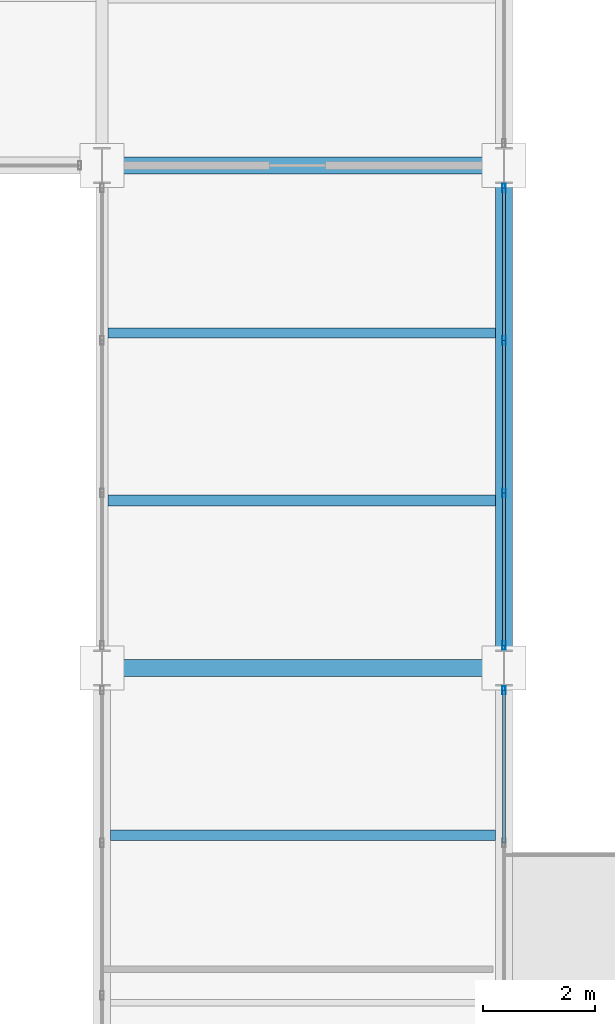
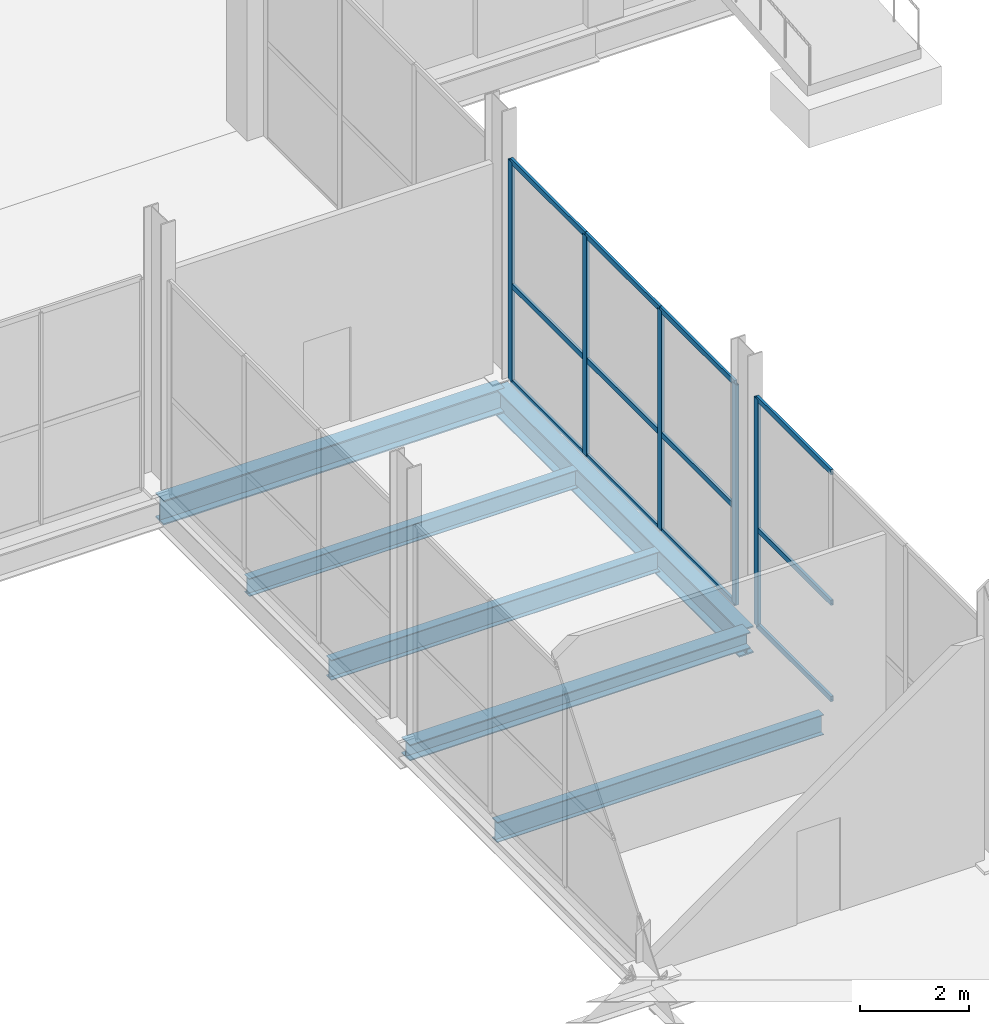
# One storey, part 96 of 144: 17 members, 6 beams, 2 elements without a shape of their own.
"""IFC4 building model written with IfcOpenShell, lengths in metres."""

from ifc_helpers import new_model, si_unit, direction, frame, origin, origin_2d, place, context, subcontext, project, spatial, hollow_rectangle, i_section, extrude, material, layer, layer_set, material_profile, profile_set, type_object, element, aggregate, save


model = new_model("IFC4")

# Units and contexts
model_context = context("Model", 3, precision=1e-05, world=origin(), true_north=direction((0.0, 1.0)))
body_context = subcontext(model_context, "Body", "Model", "MODEL_VIEW")
ifc_project = project(units=[si_unit("LENGTHUNIT", "METRE"), si_unit("AREAUNIT", "SQUARE_METRE"), si_unit("VOLUMEUNIT", "CUBIC_METRE"), si_unit("PLANEANGLEUNIT", "RADIAN"), si_unit("MASSUNIT", "GRAM", prefix="KILO")], contexts=[model_context])

# Site, building, storey
site_placement = place(None, origin())
site = spatial("IfcSite", under=ifc_project, at=site_placement, CompositionType="ELEMENT")
building_placement = place(site_placement, origin())
building = spatial("IfcBuilding", under=site, at=building_placement, Name="Sundgate Opera House", CompositionType="ELEMENT")
storey_placement = place(building_placement, origin())
storey = spatial("IfcBuildingStorey", under=building, at=storey_placement, Name="L00", CompositionType="ELEMENT", Elevation=0.0)

# Beams
ifc_material_1 = material(Name="Steel S355J2", Category="steel")
ifc_material_profile_1 = material_profile(ifc_material_1, i_section(OverallWidth=0.300048828125, OverallDepth=0.360107421875, WebThickness=0.012451171875, FlangeThickness=0.0224609375, at=origin_2d()), Name="HEB 360")
ifc_profile_set_1 = profile_set([ifc_material_profile_1], Name="Steel S355J2")
beam_type_1 = type_object("IfcBeamType", Name="BM-GR-HEB360", PredefinedType="BEAM", material=ifc_profile_set_1)
beam_1_placement = place(storey_placement, frame((138.60009765625, 51.0, -0.5), z_axis=(1.0, 0.0, 0.0), x_axis=(0.0, 1.0, 0.0)))
element("IfcBeam", 1, at=beam_1_placement, inside=storey, type_object=beam_type_1, Name="L00 Primary E-W Girder B0439", PredefinedType="BEAM", context=body_context, shape_type="SweptSolid", body=[
    extrude(i_section(OverallWidth=0.300048828125, OverallDepth=0.360107421875, WebThickness=0.012451171875, FlangeThickness=0.0224609375, at=origin_2d()), origin(), (0.0, 0.0, 1.0), 7.199951171875),
])
ifc_material_2 = material(Name="Steel S355J2", Category="steel")
ifc_material_profile_2 = material_profile(ifc_material_2, i_section(OverallWidth=0.300048828125, OverallDepth=0.550048828125, WebThickness=0.014892578125, FlangeThickness=0.029052734375, at=origin_2d()), Name="HEB 550")
ifc_profile_set_2 = profile_set([ifc_material_profile_2], Name="Steel S355J2")
beam_type_2 = type_object("IfcBeamType", Name="BM-GR-HEB550", PredefinedType="BEAM", material=ifc_profile_set_2)
beam_2_placement = place(storey_placement, frame((138.60009765625, 60.0, -0.594970703125), z_axis=(1.0, 0.0, 0.0), x_axis=(0.0, 1.0, 0.0)))
element("IfcBeam", 2, at=beam_2_placement, inside=storey, type_object=beam_type_2, Name="L00 Primary E-W Girder B0457", PredefinedType="BEAM", context=body_context, shape_type="SweptSolid", body=[
    extrude(i_section(OverallWidth=0.300048828125, OverallDepth=0.550048828125, WebThickness=0.014892578125, FlangeThickness=0.029052734375, at=origin_2d()), origin(), (0.0, 0.0, 1.0), 7.199951171875),
])
ifc_material_3 = material(Name="Steel S355J2", Category="steel")
ifc_material_profile_3 = material_profile(ifc_material_3, i_section(OverallWidth=0.300048828125, OverallDepth=0.60009765625, WebThickness=0.015380859375, FlangeThickness=0.030029296875, at=origin_2d()), Name="HEB 600")
ifc_profile_set_3 = profile_set([ifc_material_profile_3], Name="Steel S355J2")
beam_type_3 = type_object("IfcBeamType", Name="BM-GR-HEB600", PredefinedType="BEAM", material=ifc_profile_set_3)
beam_3_placement = place(storey_placement, frame((145.800048828125, 51.0, -0.6201171875), z_axis=(0.0, 1.0, 0.0), x_axis=(-1.0, 0.0, 0.0)))
element("IfcBeam", 3, at=beam_3_placement, inside=storey, type_object=beam_type_3, Name="L00 Primary N-S Girder B0281", PredefinedType="BEAM", context=body_context, shape_type="SweptSolid", body=[
    extrude(i_section(OverallWidth=0.300048828125, OverallDepth=0.60009765625, WebThickness=0.015380859375, FlangeThickness=0.030029296875, at=origin_2d()), origin(), (0.0, 0.0, 1.0), 9.0),
])
ifc_material_4 = material(Name="Steel S355J2", Category="steel")
ifc_material_profile_4 = material_profile(ifc_material_4, i_section(OverallWidth=0.179931640625, OverallDepth=0.39990234375, WebThickness=0.008544921875, FlangeThickness=0.013427734375, at=origin_2d()), Name="IPE 400")
ifc_profile_set_4 = profile_set([ifc_material_profile_4], Name="Steel S355J2")
beam_type_4 = type_object("IfcBeamType", Name="BM-JS-IPE400", PredefinedType="JOIST", material=ifc_profile_set_4)
beam_4_placement = place(storey_placement, frame((138.7099609375, 57.0, -0.52001953125), z_axis=(1.0, 0.0, 0.0), x_axis=(0.0, 1.0, 0.0)))
element("IfcBeam", 4, at=beam_4_placement, inside=storey, type_object=beam_type_4, Name="L00 Secondary Floor Joist B0799", PredefinedType="JOIST", context=body_context, shape_type="SweptSolid", body=[
    extrude(i_section(OverallWidth=0.179931640625, OverallDepth=0.39990234375, WebThickness=0.008544921875, FlangeThickness=0.013427734375, at=origin_2d()), origin(), (0.0, 0.0, 1.0), 6.93994140625),
])
ifc_material_5 = material(Name="Steel S355J2", Category="steel")
ifc_material_profile_5 = material_profile(ifc_material_5, i_section(OverallWidth=0.18994140625, OverallDepth=0.449951171875, WebThickness=0.009521484375, FlangeThickness=0.0146484375, at=origin_2d()), Name="IPE 450")
ifc_profile_set_5 = profile_set([ifc_material_profile_5], Name="Steel S355J2")
beam_type_5 = type_object("IfcBeamType", Name="BM-JS-IPE450", PredefinedType="JOIST", material=ifc_profile_set_5)
beam_5_placement = place(storey_placement, frame((138.75, 48.0, -0.544921875), z_axis=(1.0, 0.0, 0.0), x_axis=(0.0, 1.0, 0.0)))
element("IfcBeam", 5, at=beam_5_placement, inside=storey, type_object=beam_type_5, Name="L00 Secondary Floor Joist B0770", PredefinedType="JOIST", context=body_context, shape_type="SweptSolid", body=[
    extrude(i_section(OverallWidth=0.18994140625, OverallDepth=0.449951171875, WebThickness=0.009521484375, FlangeThickness=0.0146484375, at=origin_2d()), origin(), (0.0, 0.0, 1.0), 6.89990234375),
])
beam_6_placement = place(storey_placement, frame((138.7099609375, 54.0, -0.544921875), z_axis=(1.0, 0.0, 0.0), x_axis=(0.0, 1.0, 0.0)))
element("IfcBeam", 6, at=beam_6_placement, inside=storey, type_object=beam_type_5, Name="L00 Secondary Floor Joist B0798", PredefinedType="JOIST", context=body_context, shape_type="SweptSolid", body=[
    extrude(i_section(OverallWidth=0.18994140625, OverallDepth=0.449951171875, WebThickness=0.009521484375, FlangeThickness=0.0146484375, at=origin_2d()), origin(), (0.0, 0.0, 1.0), 6.93994140625),
])

# Curtain wall, member
ifc_material_6 = material(Name="Anodized aluminium and low-iron glass", Category="aluminium")
ifc_layer = layer(ifc_material_6, 0.159912109375)
ifc_layer_set = layer_set([ifc_layer], Name="Anodized aluminium and low-iron glass")
curtain_wall_type = type_object("IfcCurtainWallType", Name="CW-STUDIO-DARK", PredefinedType="NOTDEFINED", material=ifc_layer_set)
curtain_wall_1_placement = place(storey_placement, origin())
curtain_wall_1 = element("IfcCurtainWall", 7, at=curtain_wall_1_placement, inside=storey, type_object=curtain_wall_type, Name="L00 Curtain Wall CW029", PredefinedType="NOTDEFINED")
ifc_material_7 = material(Name="Anodized aluminium EN AW-6063", Category="aluminium")
ifc_material_profile_6 = material_profile(ifc_material_7, hollow_rectangle(XDim=0.06005859375, YDim=0.14990234375, WallThickness=0.00390625, at=origin_2d()), Name="CWM 150x60x4")
ifc_profile_set_6 = profile_set([ifc_material_profile_6], Name="Anodized aluminium EN AW-6063")
member_type_1 = type_object("IfcMemberType", Name="CWM-ALU-150x60", PredefinedType="MULLION", material=ifc_profile_set_6)
member_1_placement = place(storey_placement, frame((145.800048828125, 50.60009765625, 0.0), z_axis=(0.0, 0.0, 1.0), x_axis=(1.0, 0.0, 0.0)))
member_1 = element("IfcMember", 8, at=member_1_placement, type_object=member_type_1, Name="CW029 Mullion 4", PredefinedType="MULLION", context=body_context, shape_type="SweptSolid", body=[
    extrude(hollow_rectangle(XDim=0.06005859375, YDim=0.14990234375, WallThickness=0.00390625, at=origin_2d()), origin(), (0.0, 0.0, 1.0), 5.06494140625),
])

# Curtain wall, members
curtain_wall_2_placement = place(storey_placement, origin())
curtain_wall_2 = element("IfcCurtainWall", 9, at=curtain_wall_2_placement, inside=storey, type_object=curtain_wall_type, Name="L00 Curtain Wall CW031", PredefinedType="NOTDEFINED")
member_2_placement = place(storey_placement, frame((145.800048828125, 51.39990234375, 0.0), z_axis=(0.0, 0.0, 1.0), x_axis=(1.0, 0.0, 0.0)))
member_2 = element("IfcMember", 10, at=member_2_placement, type_object=member_type_1, Name="CW031 Mullion 1", PredefinedType="MULLION", context=body_context, shape_type="SweptSolid", body=[
    extrude(hollow_rectangle(XDim=0.06005859375, YDim=0.14990234375, WallThickness=0.00390625, at=origin_2d()), origin(), (0.0, 0.0, 1.0), 4.9150390625),
])
member_3_placement = place(storey_placement, frame((145.800048828125, 54.13330078125, 0.0), z_axis=(0.0, 0.0, 1.0), x_axis=(1.0, 0.0, 0.0)))
member_3 = element("IfcMember", 11, at=member_3_placement, type_object=member_type_1, Name="CW031 Mullion 2", PredefinedType="MULLION", context=body_context, shape_type="SweptSolid", body=[
    extrude(hollow_rectangle(XDim=0.06005859375, YDim=0.14990234375, WallThickness=0.00390625, at=origin_2d()), origin(), (0.0, 0.0, 1.0), 4.9150390625),
])
member_4_placement = place(storey_placement, frame((145.800048828125, 56.86669921875, 0.0), z_axis=(0.0, 0.0, 1.0), x_axis=(1.0, 0.0, 0.0)))
member_4 = element("IfcMember", 12, at=member_4_placement, type_object=member_type_1, Name="CW031 Mullion 3", PredefinedType="MULLION", context=body_context, shape_type="SweptSolid", body=[
    extrude(hollow_rectangle(XDim=0.06005859375, YDim=0.14990234375, WallThickness=0.00390625, at=origin_2d()), origin(), (0.0, 0.0, 1.0), 4.9150390625),
])
member_5_placement = place(storey_placement, frame((145.800048828125, 59.60009765625, 0.0), z_axis=(0.0, 0.0, 1.0), x_axis=(1.0, 0.0, 0.0)))
member_5 = element("IfcMember", 13, at=member_5_placement, type_object=member_type_1, Name="CW031 Mullion 4", PredefinedType="MULLION", context=body_context, shape_type="SweptSolid", body=[
    extrude(hollow_rectangle(XDim=0.06005859375, YDim=0.14990234375, WallThickness=0.00390625, at=origin_2d()), origin(), (0.0, 0.0, 1.0), 4.9150390625),
])

# Member
ifc_material_8 = material(Name="Anodized aluminium EN AW-6063", Category="aluminium")
ifc_material_profile_7 = material_profile(ifc_material_8, hollow_rectangle(XDim=0.054931640625, YDim=0.1201171875, WallThickness=0.00390625, at=origin_2d()), Name="CWT 120x55x4")
ifc_profile_set_7 = profile_set([ifc_material_profile_7], Name="Anodized aluminium EN AW-6063")
member_type_2 = type_object("IfcMemberType", Name="CWT-ALU-120x55", PredefinedType="USERDEFINED", material=ifc_profile_set_7)
member_6_placement = place(storey_placement, frame((145.800048828125, 47.86669921875, 0.0), z_axis=(0.0, 1.0, 0.0), x_axis=(-1.0, 0.0, 0.0)))
member_6 = element("IfcMember", 14, at=member_6_placement, type_object=member_type_2, Name="CW029 Transom 7", ObjectType="TRANSOM", PredefinedType="USERDEFINED", context=body_context, shape_type="SweptSolid", body=[
    extrude(hollow_rectangle(XDim=0.054931640625, YDim=0.1201171875, WallThickness=0.00390625, at=origin_2d()), origin(), (0.0, 0.0, 1.0), 2.7333984375),
])

member_7_placement = place(storey_placement, frame((145.800048828125, 47.86669921875, 2.14990234375), z_axis=(0.0, 1.0, 0.0), x_axis=(-1.0, 0.0, 0.0)))
member_7 = element("IfcMember", 15, at=member_7_placement, type_object=member_type_2, Name="CW029 Transom 8", ObjectType="TRANSOM", PredefinedType="USERDEFINED", context=body_context, shape_type="SweptSolid", body=[
    extrude(hollow_rectangle(XDim=0.054931640625, YDim=0.1201171875, WallThickness=0.00390625, at=origin_2d()), origin(), (0.0, 0.0, 1.0), 2.7333984375),
])

member_8_placement = place(storey_placement, frame((145.800048828125, 47.86669921875, 5.06494140625), z_axis=(0.0, 1.0, 0.0), x_axis=(-1.0, 0.0, 0.0)))
member_8 = element("IfcMember", 16, at=member_8_placement, type_object=member_type_2, Name="CW029 Transom 9", ObjectType="TRANSOM", PredefinedType="USERDEFINED", context=body_context, shape_type="SweptSolid", body=[
    extrude(hollow_rectangle(XDim=0.054931640625, YDim=0.1201171875, WallThickness=0.00390625, at=origin_2d()), origin(), (0.0, 0.0, 1.0), 2.7333984375),
])

aggregate(curtain_wall_1, [member_1, member_6, member_7, member_8])

member_9_placement = place(storey_placement, frame((145.800048828125, 51.39990234375, 0.0), z_axis=(0.0, 1.0, 0.0), x_axis=(-1.0, 0.0, 0.0)))
member_9 = element("IfcMember", 17, at=member_9_placement, type_object=member_type_2, Name="CW031 Transom 1", ObjectType="TRANSOM", PredefinedType="USERDEFINED", context=body_context, shape_type="SweptSolid", body=[
    extrude(hollow_rectangle(XDim=0.054931640625, YDim=0.1201171875, WallThickness=0.00390625, at=origin_2d()), origin(), (0.0, 0.0, 1.0), 2.7333984375),
])

member_10_placement = place(storey_placement, frame((145.800048828125, 51.39990234375, 2.14990234375), z_axis=(0.0, 1.0, 0.0), x_axis=(-1.0, 0.0, 0.0)))
member_10 = element("IfcMember", 18, at=member_10_placement, type_object=member_type_2, Name="CW031 Transom 2", ObjectType="TRANSOM", PredefinedType="USERDEFINED", context=body_context, shape_type="SweptSolid", body=[
    extrude(hollow_rectangle(XDim=0.054931640625, YDim=0.1201171875, WallThickness=0.00390625, at=origin_2d()), origin(), (0.0, 0.0, 1.0), 2.7333984375),
])

member_11_placement = place(storey_placement, frame((145.800048828125, 51.39990234375, 4.9150390625), z_axis=(0.0, 1.0, 0.0), x_axis=(-1.0, 0.0, 0.0)))
member_11 = element("IfcMember", 19, at=member_11_placement, type_object=member_type_2, Name="CW031 Transom 3", ObjectType="TRANSOM", PredefinedType="USERDEFINED", context=body_context, shape_type="SweptSolid", body=[
    extrude(hollow_rectangle(XDim=0.054931640625, YDim=0.1201171875, WallThickness=0.00390625, at=origin_2d()), origin(), (0.0, 0.0, 1.0), 2.7333984375),
])

member_12_placement = place(storey_placement, frame((145.800048828125, 54.13330078125, 0.0), z_axis=(0.0, 1.0, 0.0), x_axis=(-1.0, 0.0, 0.0)))
member_12 = element("IfcMember", 20, at=member_12_placement, type_object=member_type_2, Name="CW031 Transom 4", ObjectType="TRANSOM", PredefinedType="USERDEFINED", context=body_context, shape_type="SweptSolid", body=[
    extrude(hollow_rectangle(XDim=0.054931640625, YDim=0.1201171875, WallThickness=0.00390625, at=origin_2d()), origin(), (0.0, 0.0, 1.0), 2.7333984375),
])

member_13_placement = place(storey_placement, frame((145.800048828125, 54.13330078125, 2.14990234375), z_axis=(0.0, 1.0, 0.0), x_axis=(-1.0, 0.0, 0.0)))
member_13 = element("IfcMember", 21, at=member_13_placement, type_object=member_type_2, Name="CW031 Transom 5", ObjectType="TRANSOM", PredefinedType="USERDEFINED", context=body_context, shape_type="SweptSolid", body=[
    extrude(hollow_rectangle(XDim=0.054931640625, YDim=0.1201171875, WallThickness=0.00390625, at=origin_2d()), origin(), (0.0, 0.0, 1.0), 2.7333984375),
])

member_14_placement = place(storey_placement, frame((145.800048828125, 54.13330078125, 4.9150390625), z_axis=(0.0, 1.0, 0.0), x_axis=(-1.0, 0.0, 0.0)))
member_14 = element("IfcMember", 22, at=member_14_placement, type_object=member_type_2, Name="CW031 Transom 6", ObjectType="TRANSOM", PredefinedType="USERDEFINED", context=body_context, shape_type="SweptSolid", body=[
    extrude(hollow_rectangle(XDim=0.054931640625, YDim=0.1201171875, WallThickness=0.00390625, at=origin_2d()), origin(), (0.0, 0.0, 1.0), 2.7333984375),
])

member_15_placement = place(storey_placement, frame((145.800048828125, 56.86669921875, 0.0), z_axis=(0.0, 1.0, 0.0), x_axis=(-1.0, 0.0, 0.0)))
member_15 = element("IfcMember", 23, at=member_15_placement, type_object=member_type_2, Name="CW031 Transom 7", ObjectType="TRANSOM", PredefinedType="USERDEFINED", context=body_context, shape_type="SweptSolid", body=[
    extrude(hollow_rectangle(XDim=0.054931640625, YDim=0.1201171875, WallThickness=0.00390625, at=origin_2d()), origin(), (0.0, 0.0, 1.0), 2.7333984375),
])

member_16_placement = place(storey_placement, frame((145.800048828125, 56.86669921875, 2.14990234375), z_axis=(0.0, 1.0, 0.0), x_axis=(-1.0, 0.0, 0.0)))
member_16 = element("IfcMember", 24, at=member_16_placement, type_object=member_type_2, Name="CW031 Transom 8", ObjectType="TRANSOM", PredefinedType="USERDEFINED", context=body_context, shape_type="SweptSolid", body=[
    extrude(hollow_rectangle(XDim=0.054931640625, YDim=0.1201171875, WallThickness=0.00390625, at=origin_2d()), origin(), (0.0, 0.0, 1.0), 2.7333984375),
])

member_17_placement = place(storey_placement, frame((145.800048828125, 56.86669921875, 4.9150390625), z_axis=(0.0, 1.0, 0.0), x_axis=(-1.0, 0.0, 0.0)))
member_17 = element("IfcMember", 25, at=member_17_placement, type_object=member_type_2, Name="CW031 Transom 9", ObjectType="TRANSOM", PredefinedType="USERDEFINED", context=body_context, shape_type="SweptSolid", body=[
    extrude(hollow_rectangle(XDim=0.054931640625, YDim=0.1201171875, WallThickness=0.00390625, at=origin_2d()), origin(), (0.0, 0.0, 1.0), 2.7333984375),
])

aggregate(curtain_wall_2, [member_2, member_3, member_4, member_5, member_9, member_10, member_11, member_12, member_13, member_14, member_15, member_16, member_17])

save(model, "model.ifc")
